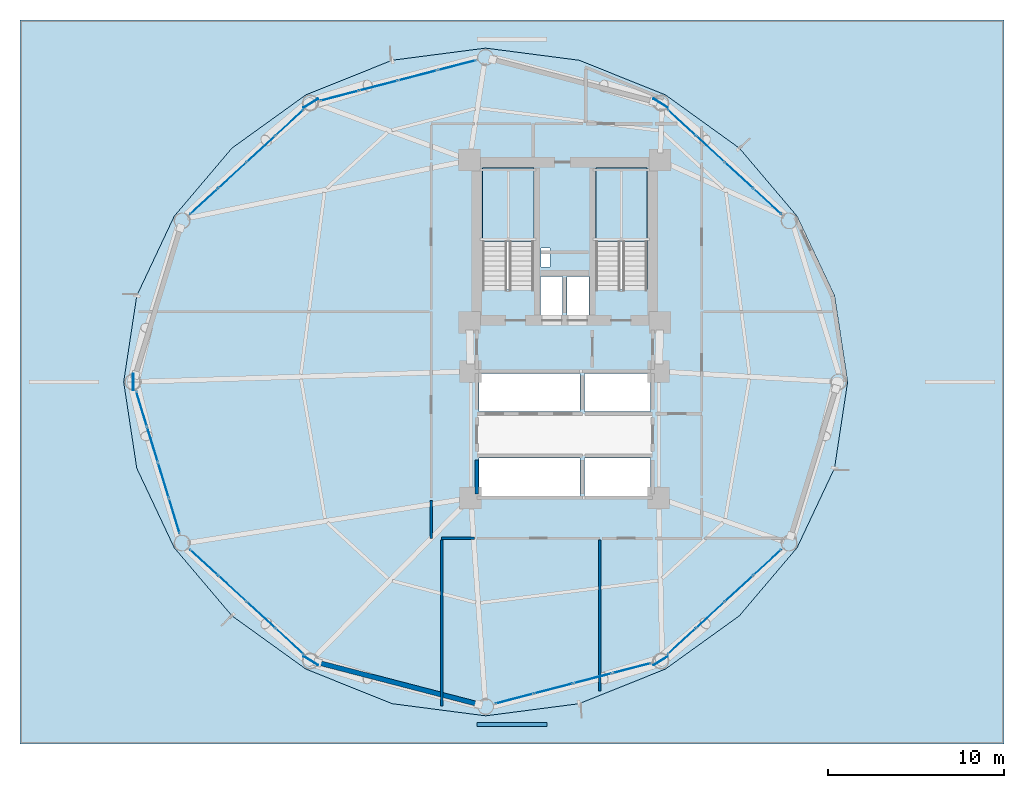
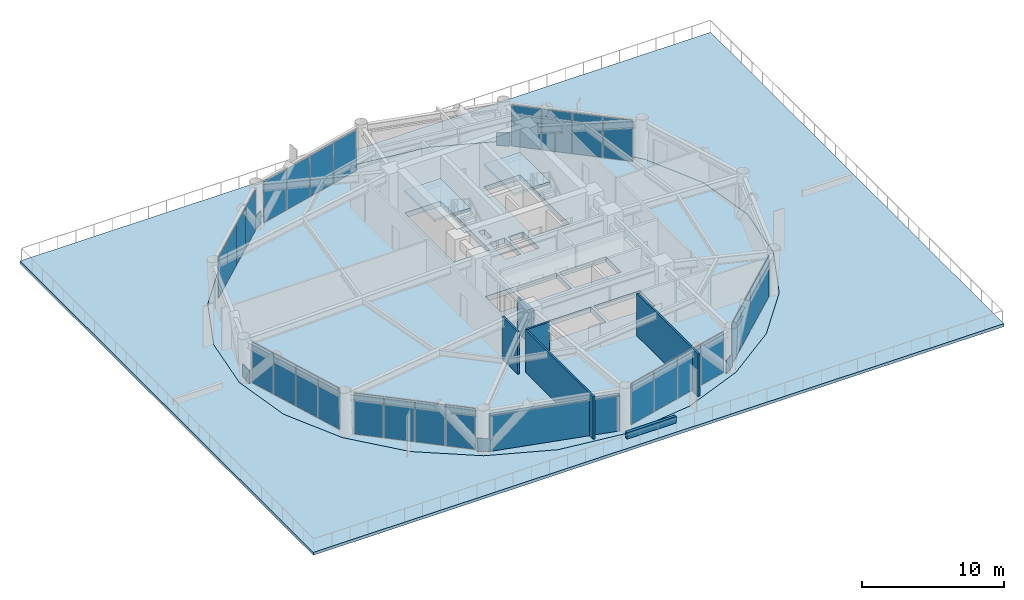
# One storey, part 19 of 24: 33 plates, 7 walls, 4 slabs, 9 elements without a shape of their own.
"""IFC4 building model written with IfcOpenShell, lengths in metres."""

from ifc_helpers import new_model, si_unit, direction, frame, frame_2d, origin, origin_2d, place, context, subcontext, project, spatial, polyline, rectangle, outline, extrude, source, transform, mapped, material, layer, layer_set, type_object, type_shapes, element, aggregate, save


model = new_model("IFC4")

# Units and contexts
model_context = context("Model", 3, precision=1e-05, world=origin(), true_north=direction((0.0, 1.0)))
body_context = subcontext(model_context, "Body", "Model", "MODEL_VIEW")
ifc_project = project(units=[si_unit("LENGTHUNIT", "METRE"), si_unit("AREAUNIT", "SQUARE_METRE"), si_unit("VOLUMEUNIT", "CUBIC_METRE"), si_unit("PLANEANGLEUNIT", "RADIAN"), si_unit("MASSUNIT", "GRAM", prefix="KILO")], contexts=[model_context])

# Site, building, storey
site_placement = place(None, origin())
site = spatial("IfcSite", under=ifc_project, at=site_placement, CompositionType="ELEMENT")
building_placement = place(site_placement, origin())
building = spatial("IfcBuilding", under=site, at=building_placement, Name="Varnakorn Sky Granary", CompositionType="ELEMENT")
storey_placement = place(building_placement, frame((0.0, 0.0, 27.60009765625)))
storey = spatial("IfcBuildingStorey", under=building, at=storey_placement, Name="L06", CompositionType="ELEMENT", Elevation=27.60009765625)

# Plates
ifc_material_1 = material(Name="Steel S460M", Category="steel")
ifc_layer_1 = layer(ifc_material_1, 0.044921875, Name="Steel S460M")
ifc_layer_set_1 = layer_set([ifc_layer_1], Name="Steel S460M")
plate_type_1 = type_object("IfcPlateType", Name="PL-NODE-KN1", PredefinedType="SHEET", material=ifc_layer_set_1)
for number, where, z_axis, x_axis, name in (
    (1, (8.45751953125, 15.861328125, -0.000244140625), (0.0, 0.0, 1.0), (-0.846936178305, 0.531694564462, 0.0), "Diagrid Node Gusset Assembly KN1 L06-3"),
    (2, (-11.45751953125, 15.861328125, -0.000244140625), (0.0, 0.0, 1.0), (-0.846936178305, -0.531694564462, 0.0), "Diagrid Node Gusset Assembly KN1 L06-5"),
    (3, (-21.550048828125, 0.0, -0.000244140625), (0.0, 0.0, 1.0), (0.0, -1.0, 0.0), "Diagrid Node Gusset Assembly KN1 L06-7"),
    (4, (-11.45751953125, -15.861328125, -0.000244140625), (0.0, 0.0, 1.0), (0.846936178305, -0.531694564462, 0.0), "Diagrid Node Gusset Assembly KN1 L06-9"),
    (5, (8.45751953125, -15.861328125, -0.000244140625), (0.0, 0.0, 1.0), (0.846936178305, 0.531694564462, 0.0), "Diagrid Node Gusset Assembly KN1 L06-11"),
):
    element("IfcPlate", number, at=place(storey_placement, frame(where, z_axis=z_axis, x_axis=x_axis)), inside=storey, type_object=plate_type_1, Name=name, PredefinedType="SHEET", context=body_context, shape_type="SweptSolid", body=[
        extrude(rectangle(XDim=0.9599609375, YDim=0.044921875, at=origin_2d()), origin(), (0.0, 0.0, 1.0), 1.10009765625),
    ])

# Stair, slab
ifc_material_2 = material(Name="Concrete C40/50", Category="concrete")
stair_type = type_object("IfcStairType", Name="ST-MAIN-ASSEMBLY", PredefinedType="HALF_TURN_STAIR", material=ifc_material_2)
stair_1_placement = place(storey_placement, origin())
stair_1 = element("IfcStair", 6, at=stair_1_placement, inside=storey, type_object=stair_type, Name="L06 Protected Exit Stair ST-1", PredefinedType="HALF_TURN_STAIR")
ifc_layer_2 = layer(ifc_material_2, 0.199951171875, Name="Concrete C40/50")
ifc_layer_set_2 = layer_set([ifc_layer_2], Name="Concrete C40/50")
slab_type_1 = type_object("IfcSlabType", Name="ST-MAIN-LAND", PredefinedType="LANDING", material=ifc_layer_set_2)
slab_1_placement = place(storey_placement, frame((0.0, 0.0, 1.75)))
slab_1 = element("IfcSlab", 7, at=slab_1_placement, type_object=slab_type_1, Name="ST-1 landing 1", PredefinedType="LANDING", context=body_context, shape_type="SweptSolid", body=[
    extrude(outline(polyline([(1.239990234375, 8.0), (1.239990234375, 12.179931640625), (-1.669921875, 12.179931640625), (-1.669921875, 8.0), (1.239990234375, 8.0)])), origin(), (0.0, 0.0, 1.0), 0.199951171875),
])
aggregate(stair_1, [slab_1])

stair_2_placement = place(storey_placement, origin())
stair_2 = element("IfcStair", 8, at=stair_2_placement, inside=storey, type_object=stair_type, Name="L06 Protected Exit Stair ST-2", PredefinedType="HALF_TURN_STAIR")
slab_2_placement = place(storey_placement, frame((0.0, 0.0, 1.75)))
slab_2 = element("IfcSlab", 9, at=slab_2_placement, type_object=slab_type_1, Name="ST-2 landing 1", PredefinedType="LANDING", context=body_context, shape_type="SweptSolid", body=[
    extrude(outline(polyline([(7.679931640625, 8.0), (7.679931640625, 12.179931640625), (4.77001953125, 12.179931640625), (4.77001953125, 8.0), (7.679931640625, 8.0)])), origin(), (0.0, 0.0, 1.0), 0.199951171875),
])
aggregate(stair_2, [slab_2])

# Slabs
ifc_material_3 = material(Name="Concrete C50/60", Category="concrete")
ifc_layer_3 = layer(ifc_material_3, 0.25, Name="Concrete C50/60")
ifc_layer_set_3 = layer_set([ifc_layer_3], Name="Concrete C50/60")
slab_type_2 = type_object("IfcSlabType", Name="ST-SL-TERR-250", PredefinedType="FLOOR", material=ifc_layer_set_3)
slab_3_placement = place(storey_placement, frame((0.0, 0.0, -0.25)))
element("IfcSlab", 10, at=slab_3_placement, inside=storey, type_object=slab_type_2, Name="Podium Roof Planted Sky-Garden Terrace L06", PredefinedType="FLOOR", context=body_context, shape_type="SweptSolid", body=[
    extrude(outline(polyline([(-28.0, -20.60009765625), (28.0, -20.60009765625), (28.0, 20.60009765625), (-28.0, 20.60009765625), (-28.0, -20.60009765625)]), holes=[polyline([(19.10009765625, 0.0), (18.3544921875, 4.906005859375), (16.22314453125, 9.4326171875), (12.939208984375, 13.3076171875), (8.732421875, 16.337646484375), (3.820068359375, 18.30908203125), (-1.5, 19.0), (-6.820068359375, 18.30908203125), (-11.732421875, 16.337646484375), (-15.939208984375, 13.3076171875), (-19.22314453125, 9.4326171875), (-21.3544921875, 4.906005859375), (-22.10009765625, 0.0), (-21.3544921875, -4.906005859375), (-19.22314453125, -9.4326171875), (-15.939208984375, -13.3076171875), (-11.732421875, -16.337646484375), (-6.820068359375, -18.30908203125), (-1.5, -19.0), (3.820068359375, -18.30908203125), (8.732421875, -16.337646484375), (12.939208984375, -13.3076171875), (16.22314453125, -9.4326171875), (18.3544921875, -4.906005859375), (19.10009765625, 0.0)])]), origin(), (0.0, 0.0, 1.0), 0.25),
])
ifc_material_4 = material(Name="Concrete C60/75", Category="concrete")
ifc_layer_4 = layer(ifc_material_4, 0.449951171875, Name="Concrete C60/75")
ifc_layer_set_4 = layer_set([ifc_layer_4], Name="Concrete C60/75")
slab_type_3 = type_object("IfcSlabType", Name="ST-SL-XFER-450", PredefinedType="FLOOR", material=ifc_layer_set_4)
slab_4_placement = place(storey_placement, frame((0.0, 0.0, -0.4501953125)))
element("IfcSlab", 11, at=slab_4_placement, inside=storey, type_object=slab_type_3, Name="Level L06 Structural Floor Slab", PredefinedType="FLOOR", context=body_context, shape_type="SweptSolid", body=[
    extrude(outline(polyline([(19.10009765625, 0.0), (18.3544921875, 4.906005859375), (16.22314453125, 9.4326171875), (12.939208984375, 13.3076171875), (8.732421875, 16.337646484375), (3.820068359375, 18.30908203125), (-1.5, 19.0), (-6.820068359375, 18.30908203125), (-11.732421875, 16.337646484375), (-15.939208984375, 13.3076171875), (-19.22314453125, 9.4326171875), (-21.3544921875, 4.906005859375), (-22.10009765625, 0.0), (-21.3544921875, -4.906005859375), (-19.22314453125, -9.4326171875), (-15.939208984375, -13.3076171875), (-11.732421875, -16.337646484375), (-6.820068359375, -18.30908203125), (-1.5, -19.0), (3.820068359375, -18.30908203125), (8.732421875, -16.337646484375), (12.939208984375, -13.3076171875), (16.22314453125, -9.4326171875), (18.3544921875, -4.906005859375), (19.10009765625, 0.0)]), holes=[polyline([(1.239990234375, 5.27490234375), (1.239990234375, 12.179931640625), (-1.669921875, 12.179931640625), (-1.669921875, 5.27490234375), (1.239990234375, 5.27490234375)]), polyline([(7.679931640625, 5.27490234375), (7.679931640625, 12.179931640625), (4.77001953125, 12.179931640625), (4.77001953125, 5.27490234375), (7.679931640625, 5.27490234375)]), polyline([(1.659912109375, 6.550048828125), (2.14990234375, 6.550048828125), (2.14990234375, 7.6201171875), (1.659912109375, 7.6201171875), (1.659912109375, 6.550048828125)]), polyline([(1.6201171875, 3.739990234375), (2.8798828125, 3.739990234375), (2.8798828125, 6.010009765625), (1.6201171875, 6.010009765625), (1.6201171875, 3.739990234375)]), polyline([(3.1201171875, 3.739990234375), (4.3798828125, 3.739990234375), (4.3798828125, 6.010009765625), (3.1201171875, 6.010009765625), (3.1201171875, 3.739990234375)]), polyline([(-1.8798828125, -1.679931640625), (3.8798828125, -1.679931640625), (3.8798828125, 0.47998046875), (-1.8798828125, 0.47998046875), (-1.8798828125, -1.679931640625)]), polyline([(4.1201171875, -1.679931640625), (7.8798828125, -1.679931640625), (7.8798828125, 0.47998046875), (4.1201171875, 0.47998046875), (4.1201171875, -1.679931640625)]), polyline([(-1.8798828125, -6.47998046875), (3.8798828125, -6.47998046875), (3.8798828125, -4.320068359375), (-1.8798828125, -4.320068359375), (-1.8798828125, -6.47998046875)]), polyline([(4.1201171875, -6.47998046875), (7.8798828125, -6.47998046875), (7.8798828125, -4.320068359375), (4.1201171875, -4.320068359375), (4.1201171875, -6.47998046875)])]), origin(), (0.0, 0.0, 1.0), 0.4501953125),
])

# Curtain wall, plates
ifc_material_5 = material(Name="Anodised Bronze Aluminium Alloy 6063-T6", Category="aluminium")
ifc_layer_5 = layer(ifc_material_5, 0.18994140625, Name="Anodised Bronze Aluminium Alloy 6063-T6")
ifc_layer_set_5 = layer_set([ifc_layer_5], Name="Anodised Bronze Aluminium Alloy 6063-T6")
curtain_wall_type = type_object("IfcCurtainWallType", Name="CW-FRM-1", PredefinedType="USERDEFINED", material=ifc_layer_set_5)
curtain_wall_1_placement = place(storey_placement, origin())
curtain_wall_1 = element("IfcCurtainWall", 12, at=curtain_wall_1_placement, inside=storey, type_object=curtain_wall_type, Name="Unitised Curtain Wall CW3 CW-L06-B02", ObjectType="CURTAIN WALL", PredefinedType="USERDEFINED")
ifc_material_6 = material(Name="Opaque Insulated Aluminium Shadow-Box Unit", Category="aluminium")
ifc_layer_6 = layer(ifc_material_6, 0.028076171875, Name="Opaque Insulated Aluminium Shadow-Box Unit")
ifc_layer_set_6 = layer_set([ifc_layer_6], Name="Opaque Insulated Aluminium Shadow-Box Unit")
plate_type_2 = type_object("IfcPlateType", Name="CW-FRM-1-PNL", PredefinedType="CURTAIN_PANEL")
shared_shape_1 = source(origin(), body_context, "Body", "SweptSolid", [
    extrude(rectangle(XDim=2.1123046875, YDim=0.028076171875, at=origin_2d()), origin(), (0.0, 0.0, 1.0), 3.5),
])
plate_1_placement = place(storey_placement, frame((9.6669921875, 14.7490234375, 0.06982421875), z_axis=(0.0, 0.0, 1.0), x_axis=(0.7360617814, -0.676914362354, 0.0)))
plate_1 = element("IfcPlate", 13, at=plate_1_placement, type_object=plate_type_2, material=ifc_layer_set_6, Name="CW3 opaque insulated shadow-box unit 1.1", PredefinedType="CURTAIN_PANEL", context=body_context, shape_type="MappedRepresentation", body=[
    mapped(shared_shape_1, transform((0.0, 0.0, 0.0), x_axis=(1.0, 0.0, 0.0), y_axis=(0.0, 1.0, 0.0), z_axis=(0.0, 0.0, 1.0), scale=1.0)),
])
ifc_material_7 = material(Name="Low-E Tinted Laminated Glass", Category="glass")
ifc_layer_7 = layer(ifc_material_7, 0.028076171875, Name="Low-E Tinted Laminated Glass")
ifc_layer_set_7 = layer_set([ifc_layer_7], Name="Low-E Tinted Laminated Glass")
plate_2_placement = place(storey_placement, frame((14.537353515625, 10.269775390625, 0.06982421875), z_axis=(0.0, 0.0, 1.0), x_axis=(0.7360617814, -0.676914362354, 0.0)))
plate_2 = element("IfcPlate", 14, at=plate_2_placement, type_object=plate_type_2, material=ifc_layer_set_7, Name="CW3 vision glazing unit 4.1", PredefinedType="CURTAIN_PANEL", context=body_context, shape_type="MappedRepresentation", body=[
    mapped(shared_shape_1, transform((0.0, 0.0, 0.0), x_axis=(1.0, 0.0, 0.0), y_axis=(0.0, 1.0, 0.0), z_axis=(0.0, 0.0, 1.0), scale=1.0)),
])

curtain_wall_2_placement = place(storey_placement, origin())
curtain_wall_2 = element("IfcCurtainWall", 15, at=curtain_wall_2_placement, inside=storey, type_object=curtain_wall_type, Name="Unitised Curtain Wall CW3 CW-L06-B05", ObjectType="CURTAIN WALL", PredefinedType="USERDEFINED")
plate_3_placement = place(storey_placement, frame((-17.537353515625, 10.269775390625, 0.06982421875), z_axis=(0.0, 0.0, 1.0), x_axis=(0.7360617814, 0.676914362354, 0.0)))
plate_3 = element("IfcPlate", 16, at=plate_3_placement, type_object=plate_type_2, material=ifc_layer_set_7, Name="CW3 vision glazing unit 1.1", PredefinedType="CURTAIN_PANEL", context=body_context, shape_type="MappedRepresentation", body=[
    mapped(shared_shape_1, transform((0.0, 0.0, 0.0), x_axis=(1.0, 0.0, 0.0), y_axis=(0.0, 1.0, 0.0), z_axis=(0.0, 0.0, 1.0), scale=1.0)),
])
plate_4_placement = place(storey_placement, frame((-12.6669921875, 14.7490234375, 0.06982421875), z_axis=(0.0, 0.0, 1.0), x_axis=(0.7360617814, 0.676914362354, 0.0)))
plate_4 = element("IfcPlate", 17, at=plate_4_placement, type_object=plate_type_2, material=ifc_layer_set_6, Name="CW3 opaque insulated shadow-box unit 4.1", PredefinedType="CURTAIN_PANEL", context=body_context, shape_type="MappedRepresentation", body=[
    mapped(shared_shape_1, transform((0.0, 0.0, 0.0), x_axis=(1.0, 0.0, 0.0), y_axis=(0.0, 1.0, 0.0), z_axis=(0.0, 0.0, 1.0), scale=1.0)),
])

curtain_wall_3_placement = place(storey_placement, origin())
curtain_wall_3 = element("IfcCurtainWall", 18, at=curtain_wall_3_placement, inside=storey, type_object=curtain_wall_type, Name="Unitised Curtain Wall CW3 CW-L06-B08", ObjectType="CURTAIN WALL", PredefinedType="USERDEFINED")
plate_5_placement = place(storey_placement, frame((-12.6669921875, -14.7490234375, 0.06982421875), z_axis=(0.0, 0.0, 1.0), x_axis=(-0.7360617814, 0.676914362354, 0.0)))
plate_5 = element("IfcPlate", 19, at=plate_5_placement, type_object=plate_type_2, material=ifc_layer_set_6, Name="CW3 opaque insulated shadow-box unit 1.1", PredefinedType="CURTAIN_PANEL", context=body_context, shape_type="MappedRepresentation", body=[
    mapped(shared_shape_1, transform((0.0, 0.0, 0.0), x_axis=(1.0, 0.0, 0.0), y_axis=(0.0, 1.0, 0.0), z_axis=(0.0, 0.0, 1.0), scale=1.0)),
])
plate_6_placement = place(storey_placement, frame((-17.537353515625, -10.269775390625, 0.06982421875), z_axis=(0.0, 0.0, 1.0), x_axis=(-0.7360617814, 0.676914362354, 0.0)))
plate_6 = element("IfcPlate", 20, at=plate_6_placement, type_object=plate_type_2, material=ifc_layer_set_7, Name="CW3 vision glazing unit 4.1", PredefinedType="CURTAIN_PANEL", context=body_context, shape_type="MappedRepresentation", body=[
    mapped(shared_shape_1, transform((0.0, 0.0, 0.0), x_axis=(1.0, 0.0, 0.0), y_axis=(0.0, 1.0, 0.0), z_axis=(0.0, 0.0, 1.0), scale=1.0)),
])

curtain_wall_4_placement = place(storey_placement, origin())
curtain_wall_4 = element("IfcCurtainWall", 21, at=curtain_wall_4_placement, inside=storey, type_object=curtain_wall_type, Name="Unitised Curtain Wall CW3 CW-L06-B11", ObjectType="CURTAIN WALL", PredefinedType="USERDEFINED")
plate_7_placement = place(storey_placement, frame((14.537353515625, -10.269775390625, 0.06982421875), z_axis=(0.0, 0.0, 1.0), x_axis=(-0.7360617814, -0.676914362354, 0.0)))
plate_7 = element("IfcPlate", 22, at=plate_7_placement, type_object=plate_type_2, material=ifc_layer_set_7, Name="CW3 vision glazing unit 1.1", PredefinedType="CURTAIN_PANEL", context=body_context, shape_type="MappedRepresentation", body=[
    mapped(shared_shape_1, transform((0.0, 0.0, 0.0), x_axis=(1.0, 0.0, 0.0), y_axis=(0.0, 1.0, 0.0), z_axis=(0.0, 0.0, 1.0), scale=1.0)),
])
plate_8_placement = place(storey_placement, frame((9.6669921875, -14.7490234375, 0.06982421875), z_axis=(0.0, 0.0, 1.0), x_axis=(-0.7360617814, -0.676914362354, 0.0)))
plate_8 = element("IfcPlate", 23, at=plate_8_placement, type_object=plate_type_2, material=ifc_layer_set_6, Name="CW3 opaque insulated shadow-box unit 4.1", PredefinedType="CURTAIN_PANEL", context=body_context, shape_type="MappedRepresentation", body=[
    mapped(shared_shape_1, transform((0.0, 0.0, 0.0), x_axis=(1.0, 0.0, 0.0), y_axis=(0.0, 1.0, 0.0), z_axis=(0.0, 0.0, 1.0), scale=1.0)),
])

# Plate
shared_shape_2 = source(origin(), body_context, "Body", "SweptSolid", [
    extrude(rectangle(XDim=2.1474609375, YDim=0.028076171875, at=origin_2d()), origin(), (0.0, 0.0, 1.0), 3.5),
])
plate_9_placement = place(storey_placement, frame((11.2861328125, 13.259765625, 0.06982421875), z_axis=(0.0, 0.0, 1.0), x_axis=(0.7360617814, -0.676914362354, 0.0)))
plate_9 = element("IfcPlate", 24, at=plate_9_placement, type_object=plate_type_2, material=ifc_layer_set_6, Name="CW3 opaque insulated shadow-box unit 2.1", PredefinedType="CURTAIN_PANEL", context=body_context, shape_type="MappedRepresentation", body=[
    mapped(shared_shape_2, transform((0.0, 0.0, 0.0), x_axis=(1.0, 0.0, 0.0), y_axis=(0.0, 1.0, 0.0), z_axis=(0.0, 0.0, 1.0), scale=1.0)),
])

plate_10_placement = place(storey_placement, frame((12.918212890625, 11.759033203125, 0.06982421875), z_axis=(0.0, 0.0, 1.0), x_axis=(0.7360617814, -0.676914362354, 0.0)))
plate_10 = element("IfcPlate", 25, at=plate_10_placement, type_object=plate_type_2, material=ifc_layer_set_7, Name="CW3 vision glazing unit 3.1", PredefinedType="CURTAIN_PANEL", context=body_context, shape_type="MappedRepresentation", body=[
    mapped(shared_shape_2, transform((0.0, 0.0, 0.0), x_axis=(1.0, 0.0, 0.0), y_axis=(0.0, 1.0, 0.0), z_axis=(0.0, 0.0, 1.0), scale=1.0)),
])

aggregate(curtain_wall_1, [plate_1, plate_9, plate_10, plate_2])

plate_11_placement = place(storey_placement, frame((-15.918212890625, 11.759033203125, 0.06982421875), z_axis=(0.0, 0.0, 1.0), x_axis=(0.7360617814, 0.676914362354, 0.0)))
plate_11 = element("IfcPlate", 26, at=plate_11_placement, type_object=plate_type_2, material=ifc_layer_set_7, Name="CW3 vision glazing unit 2.1", PredefinedType="CURTAIN_PANEL", context=body_context, shape_type="MappedRepresentation", body=[
    mapped(shared_shape_2, transform((0.0, 0.0, 0.0), x_axis=(1.0, 0.0, 0.0), y_axis=(0.0, 1.0, 0.0), z_axis=(0.0, 0.0, 1.0), scale=1.0)),
])

plate_12_placement = place(storey_placement, frame((-14.2861328125, 13.259765625, 0.06982421875), z_axis=(0.0, 0.0, 1.0), x_axis=(0.7360617814, 0.676914362354, 0.0)))
plate_12 = element("IfcPlate", 27, at=plate_12_placement, type_object=plate_type_2, material=ifc_layer_set_6, Name="CW3 opaque insulated shadow-box unit 3.1", PredefinedType="CURTAIN_PANEL", context=body_context, shape_type="MappedRepresentation", body=[
    mapped(shared_shape_2, transform((0.0, 0.0, 0.0), x_axis=(1.0, 0.0, 0.0), y_axis=(0.0, 1.0, 0.0), z_axis=(0.0, 0.0, 1.0), scale=1.0)),
])

aggregate(curtain_wall_2, [plate_3, plate_11, plate_12, plate_4])

plate_13_placement = place(storey_placement, frame((-14.2861328125, -13.259765625, 0.06982421875), z_axis=(0.0, 0.0, 1.0), x_axis=(-0.7360617814, 0.676914362354, 0.0)))
plate_13 = element("IfcPlate", 28, at=plate_13_placement, type_object=plate_type_2, material=ifc_layer_set_6, Name="CW3 opaque insulated shadow-box unit 2.1", PredefinedType="CURTAIN_PANEL", context=body_context, shape_type="MappedRepresentation", body=[
    mapped(shared_shape_2, transform((0.0, 0.0, 0.0), x_axis=(1.0, 0.0, 0.0), y_axis=(0.0, 1.0, 0.0), z_axis=(0.0, 0.0, 1.0), scale=1.0)),
])

plate_14_placement = place(storey_placement, frame((-15.918212890625, -11.759033203125, 0.06982421875), z_axis=(0.0, 0.0, 1.0), x_axis=(-0.7360617814, 0.676914362354, 0.0)))
plate_14 = element("IfcPlate", 29, at=plate_14_placement, type_object=plate_type_2, material=ifc_layer_set_7, Name="CW3 vision glazing unit 3.1", PredefinedType="CURTAIN_PANEL", context=body_context, shape_type="MappedRepresentation", body=[
    mapped(shared_shape_2, transform((0.0, 0.0, 0.0), x_axis=(1.0, 0.0, 0.0), y_axis=(0.0, 1.0, 0.0), z_axis=(0.0, 0.0, 1.0), scale=1.0)),
])

aggregate(curtain_wall_3, [plate_5, plate_13, plate_14, plate_6])

plate_15_placement = place(storey_placement, frame((12.918212890625, -11.759033203125, 0.06982421875), z_axis=(0.0, 0.0, 1.0), x_axis=(-0.7360617814, -0.676914362354, 0.0)))
plate_15 = element("IfcPlate", 30, at=plate_15_placement, type_object=plate_type_2, material=ifc_layer_set_7, Name="CW3 vision glazing unit 2.1", PredefinedType="CURTAIN_PANEL", context=body_context, shape_type="MappedRepresentation", body=[
    mapped(shared_shape_2, transform((0.0, 0.0, 0.0), x_axis=(1.0, 0.0, 0.0), y_axis=(0.0, 1.0, 0.0), z_axis=(0.0, 0.0, 1.0), scale=1.0)),
])

plate_16_placement = place(storey_placement, frame((11.2861328125, -13.259765625, 0.06982421875), z_axis=(0.0, 0.0, 1.0), x_axis=(-0.7360617814, -0.676914362354, 0.0)))
plate_16 = element("IfcPlate", 31, at=plate_16_placement, type_object=plate_type_2, material=ifc_layer_set_6, Name="CW3 opaque insulated shadow-box unit 3.1", PredefinedType="CURTAIN_PANEL", context=body_context, shape_type="MappedRepresentation", body=[
    mapped(shared_shape_2, transform((0.0, 0.0, 0.0), x_axis=(1.0, 0.0, 0.0), y_axis=(0.0, 1.0, 0.0), z_axis=(0.0, 0.0, 1.0), scale=1.0)),
])

aggregate(curtain_wall_4, [plate_7, plate_15, plate_16, plate_8])

# Curtain wall, plates
curtain_wall_5_placement = place(storey_placement, origin())
curtain_wall_5 = element("IfcCurtainWall", 32, at=curtain_wall_5_placement, inside=storey, type_object=curtain_wall_type, Name="Unitised Curtain Wall CW3 CW-L06-B04", ObjectType="CURTAIN WALL", PredefinedType="USERDEFINED")
shared_shape_3 = source(origin(), body_context, "Body", "SweptSolid", [
    extrude(rectangle(XDim=2.20849609375, YDim=0.028076171875, at=origin_2d()), origin(), (0.0, 0.0, 1.0), 3.5),
])
plate_17_placement = place(storey_placement, frame((-9.820556640625, 16.286865234375, 0.06982421875), z_axis=(0.0, 0.0, 1.0), x_axis=(0.967828874883, 0.251609357822, 0.0)))
plate_17 = element("IfcPlate", 33, at=plate_17_placement, type_object=plate_type_2, material=ifc_layer_set_6, Name="CW3 opaque insulated shadow-box unit 1.1", PredefinedType="CURTAIN_PANEL", context=body_context, shape_type="MappedRepresentation", body=[
    mapped(shared_shape_3, transform((0.0, 0.0, 0.0), x_axis=(1.0, 0.0, 0.0), y_axis=(0.0, 1.0, 0.0), z_axis=(0.0, 0.0, 1.0), scale=1.0)),
])
plate_18_placement = place(storey_placement, frame((-3.136962890625, 18.0244140625, 0.06982421875), z_axis=(0.0, 0.0, 1.0), x_axis=(0.967828874883, 0.251609357822, 0.0)))
plate_18 = element("IfcPlate", 34, at=plate_18_placement, type_object=plate_type_2, material=ifc_layer_set_7, Name="CW3 vision glazing unit 4.1", PredefinedType="CURTAIN_PANEL", context=body_context, shape_type="MappedRepresentation", body=[
    mapped(shared_shape_3, transform((0.0, 0.0, 0.0), x_axis=(1.0, 0.0, 0.0), y_axis=(0.0, 1.0, 0.0), z_axis=(0.0, 0.0, 1.0), scale=1.0)),
])

curtain_wall_6_placement = place(storey_placement, origin())
curtain_wall_6 = element("IfcCurtainWall", 35, at=curtain_wall_6_placement, inside=storey, type_object=curtain_wall_type, Name="Unitised Curtain Wall CW3 CW-L06-B10", ObjectType="CURTAIN WALL", PredefinedType="USERDEFINED")
plate_19_placement = place(storey_placement, frame((6.820556640625, -16.286865234375, 0.06982421875), z_axis=(0.0, 0.0, 1.0), x_axis=(-0.967828874883, -0.251609357822, 0.0)))
plate_19 = element("IfcPlate", 36, at=plate_19_placement, type_object=plate_type_2, material=ifc_layer_set_6, Name="CW3 opaque insulated shadow-box unit 1.1", PredefinedType="CURTAIN_PANEL", context=body_context, shape_type="MappedRepresentation", body=[
    mapped(shared_shape_3, transform((0.0, 0.0, 0.0), x_axis=(1.0, 0.0, 0.0), y_axis=(0.0, 1.0, 0.0), z_axis=(0.0, 0.0, 1.0), scale=1.0)),
])
plate_20_placement = place(storey_placement, frame((0.136962890625, -18.0244140625, 0.06982421875), z_axis=(0.0, 0.0, 1.0), x_axis=(-0.967828874883, -0.251609357822, 0.0)))
plate_20 = element("IfcPlate", 37, at=plate_20_placement, type_object=plate_type_2, material=ifc_layer_set_7, Name="CW3 vision glazing unit 4.1", PredefinedType="CURTAIN_PANEL", context=body_context, shape_type="MappedRepresentation", body=[
    mapped(shared_shape_3, transform((0.0, 0.0, 0.0), x_axis=(1.0, 0.0, 0.0), y_axis=(0.0, 1.0, 0.0), z_axis=(0.0, 0.0, 1.0), scale=1.0)),
])

# Plate
shared_shape_4 = source(origin(), body_context, "Body", "SweptSolid", [
    extrude(rectangle(XDim=2.24365234375, YDim=0.028076171875, at=origin_2d()), origin(), (0.0, 0.0, 1.0), 3.5),
])
plate_21_placement = place(storey_placement, frame((-7.598388671875, 16.864501953125, 0.06982421875), z_axis=(0.0, 0.0, 1.0), x_axis=(0.967828874883, 0.251609357822, 0.0)))
plate_21 = element("IfcPlate", 38, at=plate_21_placement, type_object=plate_type_2, material=ifc_layer_set_6, Name="CW3 opaque insulated shadow-box unit 2.1", PredefinedType="CURTAIN_PANEL", context=body_context, shape_type="MappedRepresentation", body=[
    mapped(shared_shape_4, transform((0.0, 0.0, 0.0), x_axis=(1.0, 0.0, 0.0), y_axis=(0.0, 1.0, 0.0), z_axis=(0.0, 0.0, 1.0), scale=1.0)),
])

plate_22_placement = place(storey_placement, frame((-5.359130859375, 17.44677734375, 0.06982421875), z_axis=(0.0, 0.0, 1.0), x_axis=(0.967828874883, 0.251609357822, 0.0)))
plate_22 = element("IfcPlate", 39, at=plate_22_placement, type_object=plate_type_2, material=ifc_layer_set_7, Name="CW3 vision glazing unit 3.1", PredefinedType="CURTAIN_PANEL", context=body_context, shape_type="MappedRepresentation", body=[
    mapped(shared_shape_4, transform((0.0, 0.0, 0.0), x_axis=(1.0, 0.0, 0.0), y_axis=(0.0, 1.0, 0.0), z_axis=(0.0, 0.0, 1.0), scale=1.0)),
])

aggregate(curtain_wall_5, [plate_17, plate_21, plate_22, plate_18])

plate_23_placement = place(storey_placement, frame((4.598388671875, -16.864501953125, 0.06982421875), z_axis=(0.0, 0.0, 1.0), x_axis=(-0.967828874883, -0.251609357822, 0.0)))
plate_23 = element("IfcPlate", 40, at=plate_23_placement, type_object=plate_type_2, material=ifc_layer_set_6, Name="CW3 opaque insulated shadow-box unit 2.1", PredefinedType="CURTAIN_PANEL", context=body_context, shape_type="MappedRepresentation", body=[
    mapped(shared_shape_4, transform((0.0, 0.0, 0.0), x_axis=(1.0, 0.0, 0.0), y_axis=(0.0, 1.0, 0.0), z_axis=(0.0, 0.0, 1.0), scale=1.0)),
])

plate_24_placement = place(storey_placement, frame((2.359130859375, -17.44677734375, 0.06982421875), z_axis=(0.0, 0.0, 1.0), x_axis=(-0.967828874883, -0.251609357822, 0.0)))
plate_24 = element("IfcPlate", 41, at=plate_24_placement, type_object=plate_type_2, material=ifc_layer_set_7, Name="CW3 vision glazing unit 3.1", PredefinedType="CURTAIN_PANEL", context=body_context, shape_type="MappedRepresentation", body=[
    mapped(shared_shape_4, transform((0.0, 0.0, 0.0), x_axis=(1.0, 0.0, 0.0), y_axis=(0.0, 1.0, 0.0), z_axis=(0.0, 0.0, 1.0), scale=1.0)),
])

aggregate(curtain_wall_6, [plate_19, plate_23, plate_24, plate_20])

# Curtain wall, plates
curtain_wall_7_placement = place(storey_placement, origin())
curtain_wall_7 = element("IfcCurtainWall", 42, at=curtain_wall_7_placement, inside=storey, type_object=curtain_wall_type, Name="Unitised Curtain Wall CW3 CW-L06-B07", ObjectType="CURTAIN WALL", PredefinedType="USERDEFINED")
shared_shape_5 = source(origin(), body_context, "Body", "SweptSolid", [
    extrude(rectangle(XDim=2.03076171875, YDim=0.028076171875, at=origin_2d()), origin(), (0.0, 0.0, 1.0), 3.5),
])
plate_25_placement = place(storey_placement, frame((-19.2158203125, -7.625244140625, 0.06982421875), z_axis=(0.0, 0.0, 1.0), x_axis=(-0.292701166664, 0.956203967275, 0.0)))
plate_25 = element("IfcPlate", 43, at=plate_25_placement, type_object=plate_type_2, material=ifc_layer_set_7, Name="CW3 vision glazing unit 1.1", PredefinedType="CURTAIN_PANEL", context=body_context, shape_type="MappedRepresentation", body=[
    mapped(shared_shape_5, transform((0.0, 0.0, 0.0), x_axis=(1.0, 0.0, 0.0), y_axis=(0.0, 1.0, 0.0), z_axis=(0.0, 0.0, 1.0), scale=1.0)),
])
plate_26_placement = place(storey_placement, frame((-21.0810546875, -1.5322265625, 0.06982421875), z_axis=(0.0, 0.0, 1.0), x_axis=(-0.292701166664, 0.956203967275, 0.0)))
plate_26 = element("IfcPlate", 44, at=plate_26_placement, type_object=plate_type_2, material=ifc_layer_set_6, Name="CW3 opaque insulated shadow-box unit 4.1", PredefinedType="CURTAIN_PANEL", context=body_context, shape_type="MappedRepresentation", body=[
    mapped(shared_shape_5, transform((0.0, 0.0, 0.0), x_axis=(1.0, 0.0, 0.0), y_axis=(0.0, 1.0, 0.0), z_axis=(0.0, 0.0, 1.0), scale=1.0)),
])
shared_shape_6 = source(origin(), body_context, "Body", "SweptSolid", [
    extrude(rectangle(XDim=2.065673828125, YDim=0.028076171875, at=origin_2d()), origin(), (0.0, 0.0, 1.0), 3.5),
])
type_shapes(plate_type_2, [shared_shape_1, shared_shape_2, shared_shape_3, shared_shape_4, shared_shape_5, shared_shape_6])
plate_27_placement = place(storey_placement, frame((-19.8359375, -5.599853515625, 0.06982421875), z_axis=(0.0, 0.0, 1.0), x_axis=(-0.292701166664, 0.956203967275, 0.0)))
plate_27 = element("IfcPlate", 45, at=plate_27_placement, type_object=plate_type_2, material=ifc_layer_set_7, Name="CW3 vision glazing unit 2.1", PredefinedType="CURTAIN_PANEL", context=body_context, shape_type="MappedRepresentation", body=[
    mapped(shared_shape_6, transform((0.0, 0.0, 0.0), x_axis=(1.0, 0.0, 0.0), y_axis=(0.0, 1.0, 0.0), z_axis=(0.0, 0.0, 1.0), scale=1.0)),
])
plate_28_placement = place(storey_placement, frame((-20.4609375, -3.5576171875, 0.06982421875), z_axis=(0.0, 0.0, 1.0), x_axis=(-0.292701166664, 0.956203967275, 0.0)))
plate_28 = element("IfcPlate", 46, at=plate_28_placement, type_object=plate_type_2, material=ifc_layer_set_6, Name="CW3 opaque insulated shadow-box unit 3.1", PredefinedType="CURTAIN_PANEL", context=body_context, shape_type="MappedRepresentation", body=[
    mapped(shared_shape_6, transform((0.0, 0.0, 0.0), x_axis=(1.0, 0.0, 0.0), y_axis=(0.0, 1.0, 0.0), z_axis=(0.0, 0.0, 1.0), scale=1.0)),
])
aggregate(curtain_wall_7, [plate_25, plate_27, plate_28, plate_26])

# Walls
ifc_material_8 = material(Name="Precast concrete C40/50", Category="concrete")
ifc_layer_8 = layer(ifc_material_8, 0.280029296875, Name="Precast concrete C40/50")
ifc_layer_set_8 = layer_set([ifc_layer_8], Name="Precast concrete C40/50")
wall_type_1 = type_object("IfcWallType", Name="WT-EW-CRN-280", PredefinedType="SOLIDWALL", material=ifc_layer_set_8)
wall_1_placement = place(storey_placement, frame((-1.898681640625, -18.34619140625, 0.0), z_axis=(0.0, 0.0, 1.0), x_axis=(-0.967836325918, 0.251580695274, 0.0)))
element("IfcWall", 47, at=wall_1_placement, inside=storey, type_object=wall_type_1, Name="Agritech Insulated Precast Facade Wall L06-P09", PredefinedType="SOLIDWALL", context=body_context, shape_type="SweptSolid", body=[
    extrude(rectangle(XDim=9.464599609375, YDim=0.280029296875, at=frame_2d((4.732421875, 0.0))), origin(), (0.0, 0.0, 1.0), 3.059814453125),
])
ifc_material_9 = material(Name="Gypsum Plasterboard on Steel Stud", Category="steel")
ifc_layer_9 = layer(ifc_material_9, 0.14990234375, Name="Gypsum Plasterboard on Steel Stud")
ifc_layer_set_9 = layer_set([ifc_layer_9], Name="Gypsum Plasterboard on Steel Stud")
wall_type_2 = type_object("IfcWallType", Name="WT-PART-150", PredefinedType="PARTITIONING", material=ifc_layer_set_9)
wall_2_placement = place(storey_placement, frame((-4.0, -8.89990234375, 0.0), z_axis=(0.0, 0.0, 1.0), x_axis=(1.0, 0.0, 0.0)))
element("IfcWall", 48, at=wall_2_placement, inside=storey, type_object=wall_type_2, Name="Interior Partition Wall L06-032", PredefinedType="PARTITIONING", context=body_context, shape_type="SweptSolid", body=[
    extrude(rectangle(XDim=1.864990234375, YDim=0.14990234375, at=frame_2d((0.9326171875, 0.0))), origin(), (0.0, 0.0, 1.0), 3.639892578125),
])
wall_3_placement = place(storey_placement, frame((5.0, -8.985107421875, 0.0), z_axis=(0.0, 0.0, 1.0), x_axis=(0.0, -1.0, 0.0)))
element("IfcWall", 49, at=wall_3_placement, inside=storey, type_object=wall_type_2, Name="Interior Partition Wall L06-033", PredefinedType="PARTITIONING", context=body_context, shape_type="SweptSolid", body=[
    extrude(rectangle(XDim=8.593994140625, YDim=0.14990234375, at=frame_2d((4.296875, 0.0))), origin(), (0.0, 0.0, 1.0), 3.639892578125),
])
wall_4_placement = place(storey_placement, frame((-4.0, -18.43505859375, 0.0), z_axis=(0.0, 0.0, 1.0), x_axis=(0.0, 1.0, 0.0)))
element("IfcWall", 50, at=wall_4_placement, inside=storey, type_object=wall_type_2, Name="Interior Partition Wall L06-034", PredefinedType="PARTITIONING", context=body_context, shape_type="SweptSolid", body=[
    extrude(rectangle(XDim=9.449951171875, YDim=0.14990234375, at=frame_2d((4.72509765625, 0.0))), origin(), (0.0, 0.0, 1.0), 3.639892578125),
])
wall_5_placement = place(storey_placement, frame((-4.60009765625, -6.735107421875, 0.0), z_axis=(0.0, 0.0, 1.0), x_axis=(0.0, -1.0, 0.0)))
element("IfcWall", 51, at=wall_5_placement, inside=storey, type_object=wall_type_2, Name="Interior Partition Wall L06-037", PredefinedType="PARTITIONING", context=body_context, shape_type="SweptSolid", body=[
    extrude(rectangle(XDim=2.164794921875, YDim=0.14990234375, at=frame_2d((1.08251953125, 0.0))), origin(), (0.0, 0.0, 1.0), 3.639892578125),
])
ifc_material_10 = material(Name="Autoclaved Aerated Concrete Blockwork", Category="masonry")
ifc_layer_10 = layer(ifc_material_10, 0.199951171875, Name="Autoclaved Aerated Concrete Blockwork")
ifc_layer_set_10 = layer_set([ifc_layer_10], Name="Autoclaved Aerated Concrete Blockwork")
wall_type_3 = type_object("IfcWallType", Name="WT-SHAFT-200", PredefinedType="SOLIDWALL", material=ifc_layer_set_10)
wall_6_placement = place(storey_placement, frame((-2.0, -6.3701171875, 0.0), z_axis=(0.0, 0.0, 1.0), x_axis=(0.0, 1.0, 0.0)))
element("IfcWall", 52, at=wall_6_placement, inside=storey, type_object=wall_type_3, Name="Interior Partition Wall L06-011", PredefinedType="SOLIDWALL", context=body_context, shape_type="SweptSolid", body=[
    extrude(rectangle(XDim=1.940185546875, YDim=0.199951171875, at=frame_2d((0.97021484375, 0.0))), origin(), (0.0, 0.0, 1.0), 3.02197265625),
])
ifc_layer_11 = layer(ifc_material_8, 0.239990234375, Name="Precast concrete C40/50")
ifc_layer_set_11 = layer_set([ifc_layer_11], Name="Precast concrete C40/50")
wall_type_4 = type_object("IfcWallType", Name="WT-WP-PLN-240", PredefinedType="PARAPET", material=ifc_layer_set_11)
wall_7_placement = place(storey_placement, frame((-2.0, -19.5, 0.0), z_axis=(0.0, 0.0, 1.0), x_axis=(1.0, 0.0, 0.0)))
element("IfcWall", 53, at=wall_7_placement, inside=storey, type_object=wall_type_4, Name="Podium Roof Cultivar Planter Bed PLANTER L06-3", PredefinedType="PARAPET", context=body_context, shape_type="SweptSolid", body=[
    extrude(rectangle(XDim=4.0, YDim=0.239990234375, at=frame_2d((2.0, 0.0))), origin(), (0.0, 0.0, 1.0), 0.5498046875),
])

save(model, "model.ifc")
